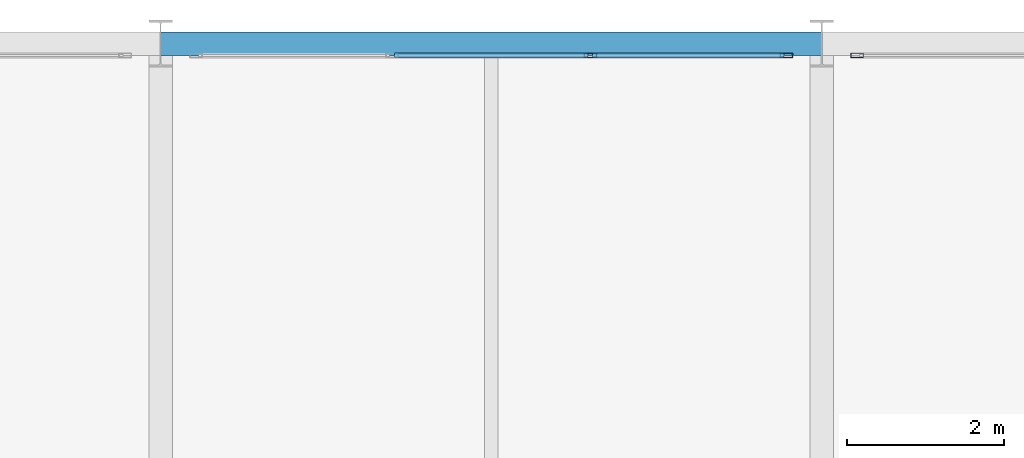
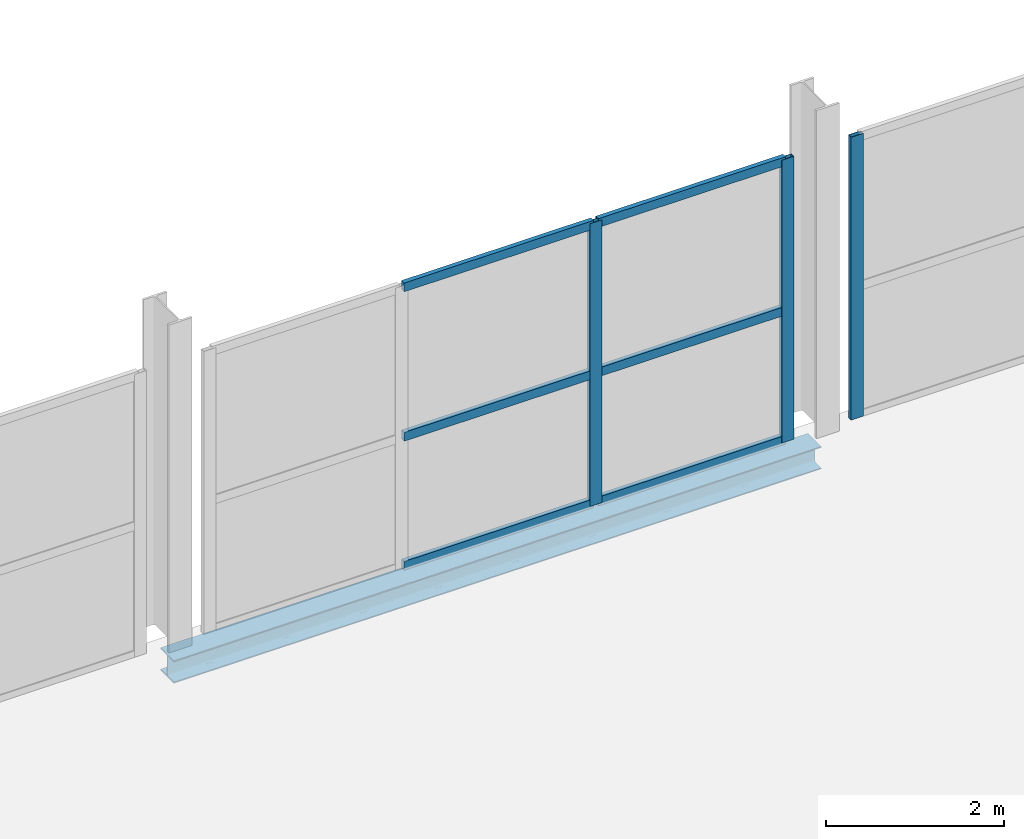
# One storey, part 57 of 109: 9 members, 1 beam, 2 elements without a shape of their own.
"""IFC4 building model written with IfcOpenShell, lengths in metres."""

from ifc_helpers import new_model, si_unit, direction, frame, origin, origin_2d, place, context, subcontext, project, spatial, hollow_rectangle, i_section, extrude, material, material_profile, profile_set, type_object, element, aggregate, save


model = new_model("IFC4")

# Units and contexts
model_context = context("Model", 3, precision=1e-05, world=origin(), true_north=direction((0.0, 1.0)))
body_context = subcontext(model_context, "Body", "Model", "MODEL_VIEW")
ifc_project = project(units=[si_unit("LENGTHUNIT", "METRE"), si_unit("AREAUNIT", "SQUARE_METRE"), si_unit("VOLUMEUNIT", "CUBIC_METRE"), si_unit("PLANEANGLEUNIT", "RADIAN"), si_unit("MASSUNIT", "GRAM", prefix="KILO")], contexts=[model_context])

# Site, building, storey
site_placement = place(None, origin())
site = spatial("IfcSite", under=ifc_project, at=site_placement, CompositionType="ELEMENT")
building_placement = place(site_placement, origin())
building = spatial("IfcBuilding", under=site, at=building_placement, Name="Veltarok Museum of Natural Sciences", CompositionType="ELEMENT")
storey_placement = place(building_placement, frame((0.0, 0.0, 17.39990234375)))
storey = spatial("IfcBuildingStorey", under=building, at=storey_placement, Name="L03", CompositionType="ELEMENT", Elevation=17.39990234375)

# Curtain wall, members
ifc_material_1 = material(Name="Low-iron triple insulated glass", Category="glass")
curtain_wall_type_1 = type_object("IfcCurtainWallType", Name="Curtain Wall System CW-V2N-L03-9-756x388 (V2 North Hall L03 9-10 756x388cm)", PredefinedType="NOTDEFINED", material=ifc_material_1)
curtain_wall_1_placement = place(storey_placement, origin())
curtain_wall_1 = element("IfcCurtainWall", 1, at=curtain_wall_1_placement, inside=storey, type_object=curtain_wall_type_1, Name="Curtain Wall CW-V2N-L03-9-756x388 CW-0058", PredefinedType="NOTDEFINED")
ifc_material_2 = material(Name="Thermally broken anodised aluminium", Category="aluminium")
ifc_material_profile_1 = material_profile(ifc_material_2, hollow_rectangle(XDim=0.06005859375, YDim=0.1201171875, WallThickness=0.0048828125, at=origin_2d()), Name="CW TRANSOM 60x120x5")
ifc_profile_set_1 = profile_set([ifc_material_profile_1], Name="Thermally broken anodised aluminium")
member_type_1 = type_object("IfcMemberType", Name="Curtain Wall Horizontal Transom 60x120x5", PredefinedType="USERDEFINED", material=ifc_profile_set_1)
member_1_placement = place(storey_placement, frame((81.52001953125, 71.85009765625, 0.030029296875), z_axis=(-1.0, 0.0, 0.0), x_axis=(0.0, -1.0, 0.0)))
member_1 = element("IfcMember", 2, at=member_1_placement, type_object=member_type_1, Name="CW-V2N-L03-9-756x388 transom 1.1", ObjectType="TRANSOM", PredefinedType="USERDEFINED", context=body_context, shape_type="SweptSolid", body=[
    extrude(hollow_rectangle(XDim=0.06005859375, YDim=0.1201171875, WallThickness=0.0048828125, at=origin_2d()), origin(), (0.0, 0.0, 1.0), 2.429931640625),
])
member_2_placement = place(storey_placement, frame((81.52001953125, 71.85009765625, 1.800048828125), z_axis=(-1.0, 0.0, 0.0), x_axis=(0.0, -1.0, 0.0)))
member_2 = element("IfcMember", 3, at=member_2_placement, type_object=member_type_1, Name="CW-V2N-L03-9-756x388 transom 1.2", ObjectType="TRANSOM", PredefinedType="USERDEFINED", context=body_context, shape_type="SweptSolid", body=[
    extrude(hollow_rectangle(XDim=0.06005859375, YDim=0.1201171875, WallThickness=0.0048828125, at=origin_2d()), origin(), (0.0, 0.0, 1.0), 2.429931640625),
])
member_3_placement = place(storey_placement, frame((81.52001953125, 71.85009765625, 3.85009765625), z_axis=(-1.0, 0.0, 0.0), x_axis=(0.0, -1.0, 0.0)))
member_3 = element("IfcMember", 4, at=member_3_placement, type_object=member_type_1, Name="CW-V2N-L03-9-756x388 transom 1.3", ObjectType="TRANSOM", PredefinedType="USERDEFINED", context=body_context, shape_type="SweptSolid", body=[
    extrude(hollow_rectangle(XDim=0.06005859375, YDim=0.1201171875, WallThickness=0.0048828125, at=origin_2d()), origin(), (0.0, 0.0, 1.0), 2.429931640625),
])
member_4_placement = place(storey_placement, frame((79.030029296875, 71.85009765625, 0.030029296875), z_axis=(-1.0, 0.0, 0.0), x_axis=(0.0, -1.0, 0.0)))
member_4 = element("IfcMember", 5, at=member_4_placement, type_object=member_type_1, Name="CW-V2N-L03-9-756x388 transom 2.1", ObjectType="TRANSOM", PredefinedType="USERDEFINED", context=body_context, shape_type="SweptSolid", body=[
    extrude(hollow_rectangle(XDim=0.06005859375, YDim=0.1201171875, WallThickness=0.0048828125, at=origin_2d()), origin(), (0.0, 0.0, 1.0), 2.4599609375),
])
member_5_placement = place(storey_placement, frame((79.030029296875, 71.85009765625, 1.800048828125), z_axis=(-1.0, 0.0, 0.0), x_axis=(0.0, -1.0, 0.0)))
member_5 = element("IfcMember", 6, at=member_5_placement, type_object=member_type_1, Name="CW-V2N-L03-9-756x388 transom 2.2", ObjectType="TRANSOM", PredefinedType="USERDEFINED", context=body_context, shape_type="SweptSolid", body=[
    extrude(hollow_rectangle(XDim=0.06005859375, YDim=0.1201171875, WallThickness=0.0048828125, at=origin_2d()), origin(), (0.0, 0.0, 1.0), 2.4599609375),
])
member_6_placement = place(storey_placement, frame((79.030029296875, 71.85009765625, 3.85009765625), z_axis=(-1.0, 0.0, 0.0), x_axis=(0.0, -1.0, 0.0)))
member_6 = element("IfcMember", 7, at=member_6_placement, type_object=member_type_1, Name="CW-V2N-L03-9-756x388 transom 2.3", ObjectType="TRANSOM", PredefinedType="USERDEFINED", context=body_context, shape_type="SweptSolid", body=[
    extrude(hollow_rectangle(XDim=0.06005859375, YDim=0.1201171875, WallThickness=0.0048828125, at=origin_2d()), origin(), (0.0, 0.0, 1.0), 2.4599609375),
])
ifc_material_profile_2 = material_profile(ifc_material_2, hollow_rectangle(XDim=0.06005859375, YDim=0.159912109375, WallThickness=0.0048828125, at=origin_2d()), Name="CW MULLION 60x160x5")
ifc_profile_set_2 = profile_set([ifc_material_profile_2], Name="Thermally broken anodised aluminium")
member_type_2 = type_object("IfcMemberType", Name="Curtain Wall Vertical Mullion 60x160x5", PredefinedType="MULLION", material=ifc_profile_set_2)
member_7_placement = place(storey_placement, frame((81.550048828125, 71.85009765625, 0.0), z_axis=(0.0, 0.0, 1.0), x_axis=(0.0, -1.0, 0.0)))
member_7 = element("IfcMember", 8, at=member_7_placement, type_object=member_type_2, Name="CW-V2N-L03-9-756x388 mullion 1", PredefinedType="MULLION", context=body_context, shape_type="SweptSolid", body=[
    extrude(hollow_rectangle(XDim=0.06005859375, YDim=0.159912109375, WallThickness=0.0048828125, at=origin_2d()), origin(), (0.0, 0.0, 1.0), 3.880126953125),
])
member_8_placement = place(storey_placement, frame((79.06005859375, 71.85009765625, 0.0), z_axis=(0.0, 0.0, 1.0), x_axis=(0.0, -1.0, 0.0)))
member_8 = element("IfcMember", 9, at=member_8_placement, type_object=member_type_2, Name="CW-V2N-L03-9-756x388 mullion 2", PredefinedType="MULLION", context=body_context, shape_type="SweptSolid", body=[
    extrude(hollow_rectangle(XDim=0.06005859375, YDim=0.159912109375, WallThickness=0.0048828125, at=origin_2d()), origin(), (0.0, 0.0, 1.0), 3.880126953125),
])
aggregate(curtain_wall_1, [member_7, member_8, member_1, member_2, member_3, member_4, member_5, member_6])

# Curtain wall, member
curtain_wall_type_2 = type_object("IfcCurtainWallType", Name="Curtain Wall System CW-V2N-L03-10-756x388 (V2 North Hall L03 10-11 756x388cm)", PredefinedType="NOTDEFINED", material=ifc_material_1)
curtain_wall_2_placement = place(storey_placement, origin())
curtain_wall_2 = element("IfcCurtainWall", 10, at=curtain_wall_2_placement, inside=storey, type_object=curtain_wall_type_2, Name="Curtain Wall CW-V2N-L03-10-756x388 CW-0059", PredefinedType="NOTDEFINED")
member_9_placement = place(storey_placement, frame((82.449951171875, 71.85009765625, 0.0), z_axis=(0.0, 0.0, 1.0), x_axis=(0.0, -1.0, 0.0)))
member_9 = element("IfcMember", 11, at=member_9_placement, type_object=member_type_2, Name="CW-V2N-L03-10-756x388 mullion 4", PredefinedType="MULLION", context=body_context, shape_type="SweptSolid", body=[
    extrude(hollow_rectangle(XDim=0.06005859375, YDim=0.159912109375, WallThickness=0.0048828125, at=origin_2d()), origin(), (0.0, 0.0, 1.0), 3.880126953125),
])
aggregate(curtain_wall_2, [member_9])

# Beam
ifc_material_3 = material(Name="Steel S355J2", Category="steel")
ifc_material_profile_3 = material_profile(ifc_material_3, i_section(OverallWidth=0.300048828125, OverallDepth=0.31005859375, WebThickness=0.009033203125, FlangeThickness=0.015380859375, FilletRadius=0.027099609375, at=origin_2d()), Name="HEA 320")
ifc_profile_set_3 = profile_set([ifc_material_profile_3], Name="Steel S355J2")
beam_type = type_object("IfcBeamType", Name="Perimeter Edge Spandrel HEA 320", PredefinedType="SPANDREL", material=ifc_profile_set_3)
beam_placement = place(storey_placement, frame((73.60009765625, 72.0, -0.40478515625), z_axis=(1.0, 0.0, 0.0), x_axis=(0.0, 1.0, 0.0)))
element("IfcBeam", 12, at=beam_placement, inside=storey, type_object=beam_type, Name="Beam BM-SP04 L03 9-10/H", PredefinedType="SPANDREL", context=body_context, shape_type="SweptSolid", body=[
    extrude(i_section(OverallWidth=0.300048828125, OverallDepth=0.31005859375, WebThickness=0.009033203125, FlangeThickness=0.015380859375, FilletRadius=0.027099609375, at=origin_2d()), origin(), (0.0, 0.0, 1.0), 8.39990234375),
])

save(model, "model.ifc")
